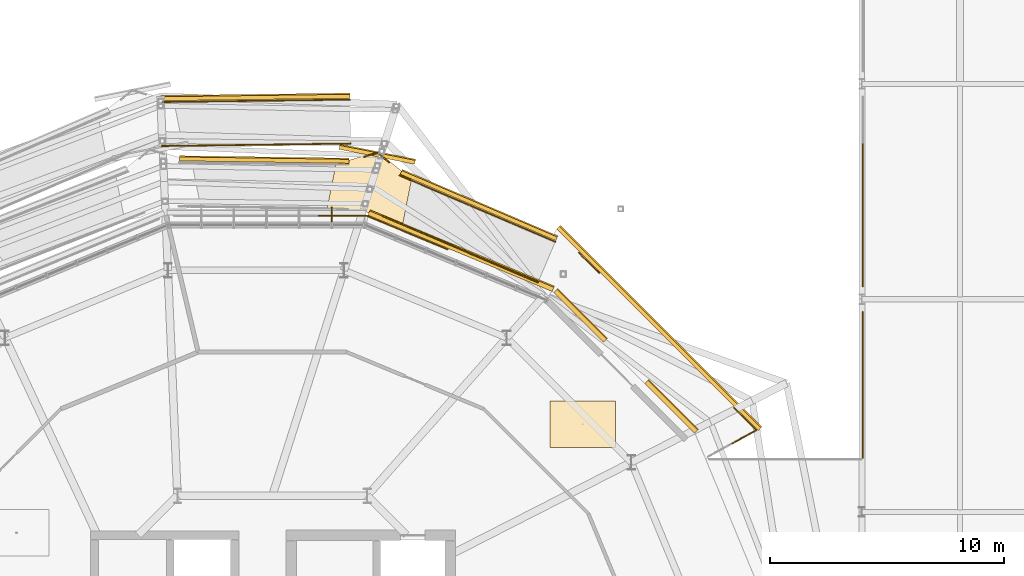
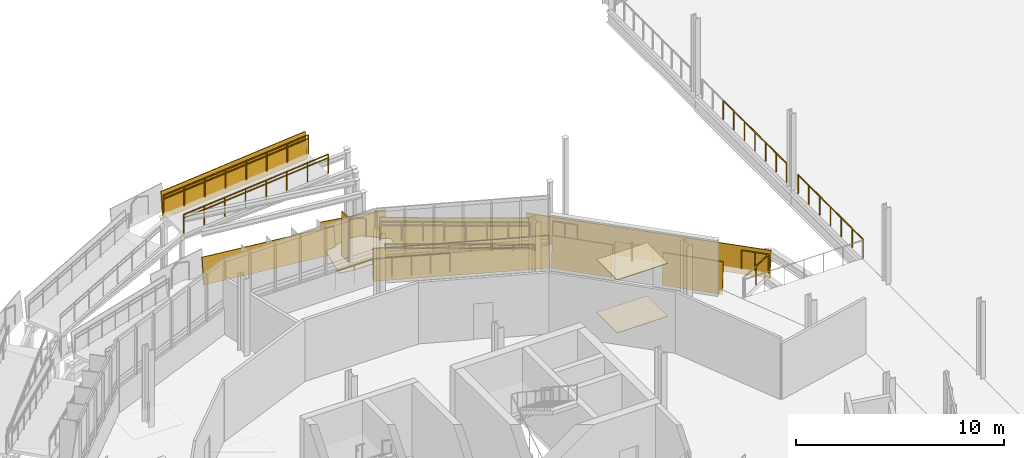
# One storey, part 134 of 139: 22 railings, 11 coverings, 1 shading device.
"""IFC4 building model written with IfcOpenShell, lengths in metres."""

from ifc_helpers import new_model, si_unit, derived_unit, direction, frame, origin, origin_2d, place, context, subcontext, project, spatial, polyline, rectangle, circle, outline, extrude, material, layer, layer_set, type_object, element, save


model = new_model("IFC4")

# Units and contexts
model_context = context("Model", 3, precision=1e-05, world=origin(), true_north=direction((0.0, 1.0)))
body_context = subcontext(model_context, "Body", "Model", "MODEL_VIEW")
ifc_project = project(units=[si_unit("LENGTHUNIT", "METRE"), si_unit("AREAUNIT", "SQUARE_METRE"), si_unit("VOLUMEUNIT", "CUBIC_METRE"), si_unit("PLANEANGLEUNIT", "RADIAN"), si_unit("MASSUNIT", "GRAM", prefix="KILO"), derived_unit("THERMALTRANSMITTANCEUNIT", [(si_unit("MASSUNIT", "GRAM", prefix="KILO"), 1), (si_unit("TIMEUNIT", "SECOND"), -3), (si_unit("THERMODYNAMICTEMPERATUREUNIT", "KELVIN"), -1)])], contexts=[model_context])

# Site, building, storey
site_placement = place(None, origin())
site = spatial("IfcSite", under=ifc_project, at=site_placement, CompositionType="ELEMENT")
building_placement = place(site_placement, origin())
building = spatial("IfcBuilding", under=site, at=building_placement, Name="Makaiwela Harbour Ferry Terminal", CompositionType="ELEMENT")
storey_placement = place(building_placement, frame((0.0, 0.0, 5.10009765625)))
storey = spatial("IfcBuildingStorey", under=building, at=storey_placement, Name="L01", CompositionType="ELEMENT", Elevation=5.10009765625)

# Coverings
ifc_material_1 = material(Name="White glazed marine ceramic rainscreen tile", Category="masonry")
ifc_layer_1 = layer(ifc_material_1, 0.054931640625)
ifc_layer_set_1 = layer_set([ifc_layer_1], Name="White glazed marine ceramic rainscreen tile")
covering_type_1 = type_object("IfcCoveringType", Name="ENV-CLD-CERAMIC", PredefinedType="CLADDING", material=ifc_layer_set_1)
for number, where, z_axis, x_axis, name in (
    (1, (55.84716796875, 80.064208984375, -0.260009765625), (-0.702883603683, -0.702883603683, 0.109129644681), (-0.707106781187, 0.707106781187, 0.0), "Ceramic Spandrel Facet CLD-0025"),
    (2, (51.956787109375, 83.95458984375, -0.260009765625), (-0.702883603683, -0.702883603683, 0.109129644681), (-0.707106781187, 0.707106781187, 0.0), "Ceramic Spandrel Facet CLD-0026"),
):
    element("IfcCovering", number, at=place(storey_placement, frame(where, z_axis=z_axis, x_axis=x_axis)), inside=storey, type_object=covering_type_1, Name=name, PredefinedType="CLADDING", context=body_context, shape_type="SweptSolid", body=[
        extrude(outline(polyline([(0.0, 0.0), (3.0017511502128147, 0.0), (3.0017511502128147, -1.7907243531310555), (0.0, -1.7907243531310555), (0.0, 0.0)])), origin(), (0.0, 0.0, -1.0), 0.054931640625),
    ])
covering_1_placement = place(storey_placement, frame((49.7626953125, 86.12744140625, -0.260009765625), z_axis=(-0.380390099808, -0.918374451296, 0.109049251138), x_axis=(-0.923884175154, 0.382672223843, 0.0)))
element("IfcCovering", 3, at=covering_1_placement, inside=storey, type_object=covering_type_1, Name="Ceramic Spandrel Facet CLD-0027", PredefinedType="CLADDING", context=body_context, shape_type="SweptSolid", body=[
    extrude(outline(polyline([(0.0, 0.0), (8.523531489286729, 5.551115123125783e-17), (8.523552538071614, -1.7907084592467375), (2.1048784884458716e-05, -1.7907084592467377), (0.0, 0.0)])), origin(), (0.0, 0.0, -1.0), 0.054931640625),
])
covering_2_placement = place(storey_placement, frame((58.5693359375, 80.185302734375, -0.340087890625), z_axis=(-0.702810363797, -0.702820323414, 0.110005388669), x_axis=(-0.707111852013, 0.707101710324, -7.74703e-07)))
element("IfcCovering", 4, at=covering_2_placement, inside=storey, type_object=covering_type_1, Name="Coiled Ramp Ceramic Fascia CLD-R0001", PredefinedType="CLADDING", context=body_context, shape_type="SweptSolid", body=[
    extrude(outline(polyline([(0.0, 0.0), (12.182227595645484, 1.1102230246251565e-16), (12.182052577540526, -1.5293103674244617), (-2.383375461762646e-06, -1.529291377079248), (0.0, 0.0)])), origin(), (0.0, 0.0, -1.0), 0.054931640625),
])
covering_3_placement = place(storey_placement, frame((49.918212890625, 88.302001953125, -0.340087890625), z_axis=(-0.381406200669, -0.917849108949, 0.109919621964), x_axis=(-0.916007568788, 0.391252580724, 0.088608983747)))
element("IfcCovering", 5, at=covering_3_placement, inside=storey, type_object=covering_type_1, Name="Coiled Ramp Ceramic Fascia CLD-R0024", PredefinedType="CLADDING", context=body_context, shape_type="SweptSolid", body=[
    extrude(outline(polyline([(0.0, 0.0), (7.2545947198565, 0.0), (7.389141684033133, -1.5233570953783877), (0.13454696417663245, -1.5233570953783877), (0.0, 0.0)])), origin(), (0.0, 0.0, -1.0), 0.054931640625),
])
covering_4_placement = place(storey_placement, frame((43.8828125, 91.566650390625, 0.302734375), z_axis=(-0.193917421015, -0.974845010118, 0.109878296652), x_axis=(-0.980783590049, 0.195098819805, 7.88241e-07)))
element("IfcCovering", 6, at=covering_4_placement, inside=storey, type_object=covering_type_1, Name="Coiled Ramp Ceramic Fascia CLD-R0025", PredefinedType="CLADDING", context=body_context, shape_type="SweptSolid", body=[
    extrude(outline(polyline([(0.0, 0.0), (3.299741908574184, 0.0), (3.2998082195819465, -1.5292766256310046), (-0.0001731381109020587, -1.529281859491945), (0.0, 0.0)])), origin(), (0.0, 0.0, -1.0), 0.054931640625),
])
covering_5_placement = place(storey_placement, frame((41.072021484375, 91.607421875, 0.302734375), z_axis=(-0.004497548954, -0.993930191057, 0.109920641187), x_axis=(-0.995987236211, 0.014277561277, 0.088349174008)))
element("IfcCovering", 7, at=covering_5_placement, inside=storey, type_object=covering_type_1, Name="Coiled Ramp Ceramic Fascia CLD-R0026", PredefinedType="CLADDING", context=body_context, shape_type="SweptSolid", body=[
    extrude(outline(polyline([(0.0, 0.0), (7.275777461897826, 1.1102230246251565e-16), (7.4100399923494535, -1.5233957038846722), (0.13425904471889277, -1.523369072487972), (0.0, 0.0)])), origin(), (0.0, 0.0, -1.0), 0.054931640625),
])
covering_6_placement = place(storey_placement, frame((33.04345703125, 94.28271484375, 3.51708984375), z_axis=(0.004328123303, -0.993939757638, 0.109840910113), x_axis=(0.996760687821, 0.013109324239, 0.079349082117)))
element("IfcCovering", 8, at=covering_6_placement, inside=storey, type_object=covering_type_1, Name="Coiled Ramp Ceramic Fascia CLD-R0036", PredefinedType="CLADDING", context=body_context, shape_type="SweptSolid", body=[
    extrude(outline(polyline([(0.0, 0.0), (8.101193466536664, 0.0), (8.221817429951896, 1.5245089582499212), (0.12062396341523265, 1.5245089582499212), (0.0, 0.0)])), origin(), (0.0, 0.0, -1.0), 0.054931640625),
])

# Shading device
ifc_material_2 = material(Name="Marine anodised aluminium 6063-T6", Category="aluminium")
ifc_layer_2 = layer(ifc_material_2, 0.054931640625)
ifc_layer_set_2 = layer_set([ifc_layer_2], Name="Marine anodised aluminium 6063-T6")
shading_device_type = type_object("IfcShadingDeviceType", Name="ENV-FIN-650", PredefinedType="USERDEFINED", material=ifc_layer_set_2)
shading_device_placement = place(storey_placement, frame((40.33935546875, 89.403076171875, 1.614990234375), z_axis=(0.0, 0.0, 1.0), x_axis=(0.0, 1.0, 0.0)))
element("IfcShadingDevice", 9, at=shading_device_placement, inside=storey, type_object=shading_device_type, Name="Vertical Solar Fin SFN-0021", ObjectType="SOLAR FIN", PredefinedType="USERDEFINED", context=body_context, shape_type="SweptSolid", body=[
    extrude(rectangle(XDim=0.64990234375, YDim=0.054931640625, at=origin_2d()), origin(), (0.0, 0.0, 1.0), 2.60009765625),
])

# Coverings
ifc_material_3 = material(Name="Thermally modified Accoya timber acoustic slat ceiling", Category="wood")
ifc_layer_3 = layer(ifc_material_3, 0.0400390625)
ifc_layer_set_3 = layer_set([ifc_layer_3], Name="Thermally modified Accoya timber acoustic slat ceiling")
covering_type_2 = type_object("IfcCoveringType", Name="INT-COV-CEIL", PredefinedType="CEILING", material=ifc_layer_set_3)
covering_7_placement = place(storey_placement, frame((0.0, 0.0, 3.099853515625)))
element("IfcCovering", 10, at=covering_7_placement, inside=storey, type_object=covering_type_2, Name="Acoustic Timber Ceiling CLG-030", PredefinedType="CEILING", context=body_context, shape_type="SweptSolid", body=[
    extrude(outline(polyline([(49.673583984375, 79.450927734375), (52.4736328125, 79.450927734375), (52.4736328125, 81.450927734375), (49.673583984375, 81.450927734375), (49.673583984375, 79.450927734375)])), origin(), (0.0, 0.0, 1.0), 0.0400390625),
])
ifc_material_4 = material(Name="Honed coral-aggregate epoxy terrazzo flooring", Category="concrete")
ifc_layer_4 = layer(ifc_material_4, 0.02490234375)
ifc_layer_set_4 = layer_set([ifc_layer_4], Name="Honed coral-aggregate epoxy terrazzo flooring")
covering_type_3 = type_object("IfcCoveringType", Name="INT-COV-FLR", PredefinedType="FLOORING", material=ifc_layer_set_4)
covering_8_placement = place(storey_placement, frame((0.0, 0.0, 0.642822265625)))
element("IfcCovering", 11, at=covering_8_placement, inside=storey, type_object=covering_type_3, Name="Ramp Landing Terrazzo RMP-COIL-L01-LI1", PredefinedType="FLOORING", context=body_context, shape_type="SweptSolid", body=[
    extrude(outline(polyline([(40.8134765625, 89.53955078125), (41.797119140625, 89.53955078125), (41.797119140625, 89.53955078125), (41.79736328125, 89.53955078125), (41.797607421875, 89.539306640625), (41.7978515625, 89.539306640625), (42.70654296875, 89.162841796875), (43.37841796875, 89.029296875), (43.756591796875, 90.931884765625), (42.30810546875, 92.107177734375), (40.52001953125, 91.57568359375), (40.1416015625, 89.673095703125), (40.8134765625, 89.53955078125)])), origin(), (0.0, 0.0, 1.0), 0.02490234375),
])
covering_9_placement = place(storey_placement, origin())
element("IfcCovering", 12, at=covering_9_placement, inside=storey, type_object=covering_type_3, Name="Terrazzo Flooring FLG-030", PredefinedType="FLOORING", context=body_context, shape_type="SweptSolid", body=[
    extrude(outline(polyline([(49.673583984375, 79.450927734375), (52.4736328125, 79.450927734375), (52.4736328125, 81.450927734375), (49.673583984375, 81.450927734375), (49.673583984375, 79.450927734375)])), origin(), (0.0, 0.0, 1.0), 0.02490234375),
])

# Railings
ifc_material_5 = material(Name="Marine grade 316L brushed stainless steel", Category="steel")
railing_type_1 = type_object("IfcRailingType", Name="INT-RL-GRD110", PredefinedType="GUARDRAIL", material=ifc_material_5)
railing_1_placement = place(storey_placement, frame((49.157470703125, 86.520751953125, 0.0)))
element("IfcRailing", 13, at=railing_1_placement, inside=storey, type_object=railing_type_1, Name="Ramp guardrail RL-0137", PredefinedType="GUARDRAIL", context=body_context, shape_type="SweptSolid", body=[
    extrude(circle(Radius=0.02392578125, at=origin_2d()), frame((0.0, 0.0, 1.09619140625), z_axis=(-0.916007568788, 0.391252580724, 0.088608983747), x_axis=(-0.392797655116, -0.919624924703, 0.0)), (0.0, 0.0, 1.0), 7.254638671875),
    extrude(circle(Radius=0.02099609375, at=origin_2d()), origin(), (0.0, 0.0, 1.0), 1.072021484375),
    extrude(circle(Radius=0.02099609375, at=origin_2d()), frame((-0.94921875, 0.405517578125, 0.091796875)), (0.0, 0.0, 1.0), 1.072021484375),
    extrude(circle(Radius=0.02099609375, at=origin_2d()), frame((-1.898681640625, 0.81103515625, 0.18359375)), (0.0, 0.0, 1.0), 1.072021484375),
    extrude(circle(Radius=0.02099609375, at=origin_2d()), frame((-2.847900390625, 1.216552734375, 0.275390625)), (0.0, 0.0, 1.0), 1.072021484375),
    extrude(circle(Radius=0.02099609375, at=origin_2d()), frame((-3.79736328125, 1.621826171875, 0.367431640625)), (0.0, 0.0, 1.0), 1.072021484375),
    extrude(circle(Radius=0.02099609375, at=origin_2d()), frame((-4.74658203125, 2.02734375, 0.459228515625)), (0.0, 0.0, 1.0), 1.072021484375),
    extrude(circle(Radius=0.02099609375, at=origin_2d()), frame((-5.696044921875, 2.432861328125, 0.551025390625)), (0.0, 0.0, 1.0), 1.072021484375),
    extrude(circle(Radius=0.02099609375, at=origin_2d()), frame((-6.645263671875, 2.83837890625, 0.642822265625)), (0.0, 0.0, 1.0), 1.072021484375),
])
railing_2_placement = place(storey_placement, frame((49.89599609375, 88.24951171875, 0.0)))
element("IfcRailing", 14, at=railing_2_placement, inside=storey, type_object=railing_type_1, Name="Ramp guardrail RL-0139", PredefinedType="GUARDRAIL", context=body_context, shape_type="SweptSolid", body=[
    extrude(circle(Radius=0.02392578125, at=origin_2d()), frame((0.0, 0.0, 1.09619140625), z_axis=(-0.916012984358, 0.391240520064, 0.088606252308), x_axis=(-0.392785451011, -0.919630137324, 0.0)), (0.0, 0.0, 1.0), 7.2548828125),
    extrude(circle(Radius=0.02099609375, at=origin_2d()), origin(), (0.0, 0.0, 1.0), 1.072021484375),
    extrude(circle(Radius=0.02099609375, at=origin_2d()), frame((-0.949462890625, 0.405517578125, 0.091796875)), (0.0, 0.0, 1.0), 1.072021484375),
    extrude(circle(Radius=0.02099609375, at=origin_2d()), frame((-1.898681640625, 0.81103515625, 0.18359375)), (0.0, 0.0, 1.0), 1.072021484375),
    extrude(circle(Radius=0.02099609375, at=origin_2d()), frame((-2.84814453125, 1.216552734375, 0.275390625)), (0.0, 0.0, 1.0), 1.072021484375),
    extrude(circle(Radius=0.02099609375, at=origin_2d()), frame((-3.79736328125, 1.621826171875, 0.367431640625)), (0.0, 0.0, 1.0), 1.072021484375),
    extrude(circle(Radius=0.02099609375, at=origin_2d()), frame((-4.746826171875, 2.02734375, 0.459228515625)), (0.0, 0.0, 1.0), 1.072021484375),
    extrude(circle(Radius=0.02099609375, at=origin_2d()), frame((-5.696044921875, 2.432861328125, 0.551025390625)), (0.0, 0.0, 1.0), 1.072021484375),
    extrude(circle(Radius=0.02099609375, at=origin_2d()), frame((-6.6455078125, 2.83837890625, 0.642822265625)), (0.0, 0.0, 1.0), 1.072021484375),
])
railing_3_placement = place(storey_placement, frame((33.069091796875, 92.345703125, 3.85693359375)))
element("IfcRailing", 15, at=railing_3_placement, inside=storey, type_object=railing_type_1, Name="Ramp guardrail RL-0161", PredefinedType="GUARDRAIL", context=body_context, shape_type="SweptSolid", body=[
    extrude(circle(Radius=0.02392578125, at=origin_2d()), frame((0.0, 0.0, 1.09619140625), z_axis=(0.99675771449, 0.013139818695, 0.079381381749), x_axis=(-0.013181415037, 0.999913121375, 0.0)), (0.0, 0.0, 1.0), 8.10107421875),
    extrude(circle(Radius=0.02099609375, at=origin_2d()), origin(), (0.0, 0.0, 1.0), 1.072021484375),
    extrude(circle(Radius=0.02099609375, at=origin_2d()), frame((1.153564453125, 0.01513671875, 0.091796875)), (0.0, 0.0, 1.0), 1.072021484375),
    extrude(circle(Radius=0.02099609375, at=origin_2d()), frame((2.30712890625, 0.030517578125, 0.183837890625)), (0.0, 0.0, 1.0), 1.072021484375),
    extrude(circle(Radius=0.02099609375, at=origin_2d()), frame((3.460693359375, 0.045654296875, 0.275634765625)), (0.0, 0.0, 1.0), 1.072021484375),
    extrude(circle(Radius=0.02099609375, at=origin_2d()), frame((4.614013671875, 0.060791015625, 0.367431640625)), (0.0, 0.0, 1.0), 1.072021484375),
    extrude(circle(Radius=0.02099609375, at=origin_2d()), frame((5.767578125, 0.075927734375, 0.459228515625)), (0.0, 0.0, 1.0), 1.072021484375),
    extrude(circle(Radius=0.02099609375, at=origin_2d()), frame((6.921142578125, 0.09130859375, 0.55126953125)), (0.0, 0.0, 1.0), 1.072021484375),
    extrude(circle(Radius=0.02099609375, at=origin_2d()), frame((8.07470703125, 0.1064453125, 0.64306640625)), (0.0, 0.0, 1.0), 1.072021484375),
])
railing_4_placement = place(storey_placement, frame((33.044189453125, 94.2255859375, 3.85693359375)))
element("IfcRailing", 16, at=railing_4_placement, inside=storey, type_object=railing_type_1, Name="Ramp guardrail RL-0163", PredefinedType="GUARDRAIL", context=body_context, shape_type="SweptSolid", body=[
    extrude(circle(Radius=0.02392578125, at=origin_2d()), frame((0.0, 0.0, 1.09619140625), z_axis=(0.996758303829, 0.013109292885, 0.079379028641), x_axis=(-0.01315079012, 0.999913524621, 0.0)), (0.0, 0.0, 1.0), 8.101318359375),
    extrude(circle(Radius=0.02099609375, at=origin_2d()), origin(), (0.0, 0.0, 1.0), 1.072021484375),
    extrude(circle(Radius=0.02099609375, at=origin_2d()), frame((1.153564453125, 0.01513671875, 0.091796875)), (0.0, 0.0, 1.0), 1.072021484375),
    extrude(circle(Radius=0.02099609375, at=origin_2d()), frame((2.30712890625, 0.0302734375, 0.183837890625)), (0.0, 0.0, 1.0), 1.072021484375),
    extrude(circle(Radius=0.02099609375, at=origin_2d()), frame((3.460693359375, 0.04541015625, 0.275634765625)), (0.0, 0.0, 1.0), 1.072021484375),
    extrude(circle(Radius=0.02099609375, at=origin_2d()), frame((4.6142578125, 0.060791015625, 0.367431640625)), (0.0, 0.0, 1.0), 1.072021484375),
    extrude(circle(Radius=0.02099609375, at=origin_2d()), frame((5.767822265625, 0.075927734375, 0.459228515625)), (0.0, 0.0, 1.0), 1.072021484375),
    extrude(circle(Radius=0.02099609375, at=origin_2d()), frame((6.92138671875, 0.091064453125, 0.55126953125)), (0.0, 0.0, 1.0), 1.072021484375),
    extrude(circle(Radius=0.02099609375, at=origin_2d()), frame((8.074951171875, 0.106201171875, 0.64306640625)), (0.0, 0.0, 1.0), 1.072021484375),
])
railing_5_placement = place(storey_placement, frame((39.78125, 89.361328125, 0.0)))
element("IfcRailing", 17, at=railing_5_placement, inside=storey, type_object=railing_type_1, Name="Deck edge guardrail RL-0283", PredefinedType="GUARDRAIL", context=body_context, shape_type="SweptSolid", body=[
    extrude(circle(Radius=0.02392578125, at=origin_2d()), frame((0.0, 0.0, 1.09619140625), z_axis=(1.0, 0.0, 0.0), x_axis=(0.0, 1.0, 0.0)), (0.0, 0.0, 1.0), 2.0615234375),
    extrude(circle(Radius=0.02099609375, at=origin_2d()), origin(), (0.0, 0.0, 1.0), 1.072021484375),
    extrude(circle(Radius=0.02099609375, at=origin_2d()), frame((1.03076171875, 0.0, 0.0)), (0.0, 0.0, 1.0), 1.072021484375),
    extrude(circle(Radius=0.02099609375, at=origin_2d()), frame((2.0615234375, 0.0, 0.0)), (0.0, 0.0, 1.0), 1.072021484375),
])
railing_6_placement = place(storey_placement, frame((41.8427734375, 89.361328125, 0.0)))
element("IfcRailing", 18, at=railing_6_placement, inside=storey, type_object=railing_type_1, Name="Deck edge guardrail RL-0284", PredefinedType="GUARDRAIL", context=body_context, shape_type="SweptSolid", body=[
    extrude(circle(Radius=0.02392578125, at=origin_2d()), frame((0.0, 0.0, 1.09619140625), z_axis=(0.923887681162, -0.38266375919, 0.0), x_axis=(0.38266375919, 0.923887681162, 0.0)), (0.0, 0.0, 1.0), 1.8662109375),
    extrude(circle(Radius=0.02099609375, at=origin_2d()), origin(), (0.0, 0.0, 1.0), 1.072021484375),
    extrude(circle(Radius=0.02099609375, at=origin_2d()), frame((0.862060546875, -0.35693359375, 0.0)), (0.0, 0.0, 1.0), 1.072021484375),
    extrude(circle(Radius=0.02099609375, at=origin_2d()), frame((1.72412109375, -0.714111328125, 0.0)), (0.0, 0.0, 1.0), 1.072021484375),
])
railing_7_placement = place(storey_placement, frame((43.56689453125, 88.647216796875, 0.0)))
element("IfcRailing", 19, at=railing_7_placement, inside=storey, type_object=railing_type_1, Name="Deck edge guardrail RL-0285", PredefinedType="GUARDRAIL", context=body_context, shape_type="SweptSolid", body=[
    extrude(circle(Radius=0.02392578125, at=origin_2d()), frame((0.0, 0.0, 1.09619140625), z_axis=(0.923860588688, -0.382729163599, 0.0), x_axis=(0.382729163599, 0.923860588688, 0.0)), (0.0, 0.0, 1.0), 1.866455078125),
    extrude(circle(Radius=0.02099609375, at=origin_2d()), origin(), (0.0, 0.0, 1.0), 1.072021484375),
    extrude(circle(Radius=0.02099609375, at=origin_2d()), frame((0.8623046875, -0.357177734375, 0.0)), (0.0, 0.0, 1.0), 1.072021484375),
    extrude(circle(Radius=0.02099609375, at=origin_2d()), frame((1.724365234375, -0.71435546875, 0.0)), (0.0, 0.0, 1.0), 1.072021484375),
])
railing_8_placement = place(storey_placement, frame((50.908935546875, 87.786376953125, 0.0)))
element("IfcRailing", 20, at=railing_8_placement, inside=storey, type_object=railing_type_1, Name="Deck edge guardrail RL-0286", PredefinedType="GUARDRAIL", context=body_context, shape_type="SweptSolid", body=[
    extrude(circle(Radius=0.02392578125, at=origin_2d()), frame((0.0, 0.0, 1.09619140625), z_axis=(0.707006688219, -0.707206859988, 0.0), x_axis=(0.707206859988, 0.707006688219, 0.0)), (0.0, 0.0, 1.0), 1.2197265625),
    extrude(circle(Radius=0.02099609375, at=origin_2d()), origin(), (0.0, 0.0, 1.0), 1.072021484375),
    extrude(circle(Radius=0.02099609375, at=origin_2d()), frame((0.43115234375, -0.43115234375, 0.0)), (0.0, 0.0, 1.0), 1.072021484375),
    extrude(circle(Radius=0.02099609375, at=origin_2d()), frame((0.8623046875, -0.862548828125, 0.0)), (0.0, 0.0, 1.0), 1.072021484375),
])
railing_9_placement = place(storey_placement, frame((57.538818359375, 81.156494140625, 0.0)))
element("IfcRailing", 21, at=railing_9_placement, inside=storey, type_object=railing_type_1, Name="Deck edge guardrail RL-0287", PredefinedType="GUARDRAIL", context=body_context, shape_type="SweptSolid", body=[
    extrude(circle(Radius=0.02392578125, at=origin_2d()), frame((0.0, 0.0, 1.09619140625), z_axis=(0.707106781187, -0.707106781187, 0.0), x_axis=(0.707106781187, 0.707106781187, 0.0)), (0.0, 0.0, 1.0), 1.35546875),
    extrude(circle(Radius=0.02099609375, at=origin_2d()), origin(), (0.0, 0.0, 1.0), 1.072021484375),
    extrude(circle(Radius=0.02099609375, at=origin_2d()), frame((0.479248046875, -0.479248046875, 0.0)), (0.0, 0.0, 1.0), 1.072021484375),
    extrude(circle(Radius=0.02099609375, at=origin_2d()), frame((0.95849609375, -0.95849609375, 0.0)), (0.0, 0.0, 1.0), 1.072021484375),
])
railing_10_placement = place(storey_placement, frame((58.497314453125, 80.197998046875, 0.0)))
element("IfcRailing", 22, at=railing_10_placement, inside=storey, type_object=railing_type_1, Name="Deck edge guardrail RL-0288", PredefinedType="GUARDRAIL", context=body_context, shape_type="SweptSolid", body=[
    extrude(circle(Radius=0.02392578125, at=origin_2d()), frame((0.0, 0.0, 1.09619140625), z_axis=(-0.877704239381, -0.479202742242, 0.0), x_axis=(0.479202742242, -0.877704239381, 0.0)), (0.0, 0.0, 1.0), 1.170654296875),
    extrude(circle(Radius=0.02099609375, at=origin_2d()), origin(), (0.0, 0.0, 1.0), 1.072021484375),
    extrude(circle(Radius=0.02099609375, at=origin_2d()), frame((-1.027587890625, -0.56103515625, 0.0)), (0.0, 0.0, 1.0), 1.072021484375),
])
for number, where, name in (
    (23, (63.047119140625, 79.02001953125, 0.0), "Deck edge guardrail RL-0293"),
    (24, (63.046875, 81.097412109375, 0.0), "Deck edge guardrail RL-0294"),
    (25, (63.046630859375, 83.1748046875, 0.0), "Deck edge guardrail RL-0295"),
):
    element("IfcRailing", number, at=place(storey_placement, frame(where)), inside=storey, type_object=railing_type_1, Name=name, PredefinedType="GUARDRAIL", context=body_context, shape_type="SweptSolid", body=[
        extrude(circle(Radius=0.02392578125, at=origin_2d()), frame((0.0, 0.0, 1.09619140625), z_axis=(-0.000117522622, 0.999999993094, 0.0), x_axis=(-0.999999993094, -0.000117522622, 0.0)), (0.0, 0.0, 1.0), 2.077392578125),
        extrude(circle(Radius=0.02099609375, at=origin_2d()), origin(), (0.0, 0.0, 1.0), 1.072021484375),
        extrude(circle(Radius=0.02099609375, at=origin_2d()), frame((0.0, 1.03857421875, 0.0)), (0.0, 0.0, 1.0), 1.072021484375),
        extrude(circle(Radius=0.02099609375, at=origin_2d()), frame((-0.000244140625, 2.077392578125, 0.0)), (0.0, 0.0, 1.0), 1.072021484375),
    ])
railing_11_placement = place(storey_placement, frame((63.04638671875, 86.34765625, 0.0)))
element("IfcRailing", 26, at=railing_11_placement, inside=storey, type_object=railing_type_1, Name="Deck edge guardrail RL-0296", PredefinedType="GUARDRAIL", context=body_context, shape_type="SweptSolid", body=[
    extrude(circle(Radius=0.02392578125, at=origin_2d()), frame((0.0, 0.0, 1.09619140625), z_axis=(-0.000120496444, 0.99999999274, 0.0), x_axis=(-0.99999999274, -0.000120496444, 0.0)), (0.0, 0.0, 1.0), 2.026123046875),
    extrude(circle(Radius=0.02099609375, at=origin_2d()), origin(), (0.0, 0.0, 1.0), 1.072021484375),
    extrude(circle(Radius=0.02099609375, at=origin_2d()), frame((0.0, 1.01318359375, 0.0)), (0.0, 0.0, 1.0), 1.072021484375),
    extrude(circle(Radius=0.02099609375, at=origin_2d()), frame((-0.000244140625, 2.026123046875, 0.0)), (0.0, 0.0, 1.0), 1.072021484375),
])
railing_12_placement = place(storey_placement, frame((63.046142578125, 88.373779296875, 0.0)))
element("IfcRailing", 27, at=railing_12_placement, inside=storey, type_object=railing_type_1, Name="Deck edge guardrail RL-0297", PredefinedType="GUARDRAIL", context=body_context, shape_type="SweptSolid", body=[
    extrude(circle(Radius=0.02392578125, at=origin_2d()), frame((0.0, 0.0, 1.09619140625), z_axis=(0.0, 1.0, 0.0), x_axis=(-1.0, 0.0, 0.0)), (0.0, 0.0, 1.0), 2.026123046875),
    extrude(circle(Radius=0.02099609375, at=origin_2d()), origin(), (0.0, 0.0, 1.0), 1.072021484375),
    extrude(circle(Radius=0.02099609375, at=origin_2d()), frame((0.0, 1.01318359375, 0.0)), (0.0, 0.0, 1.0), 1.072021484375),
    extrude(circle(Radius=0.02099609375, at=origin_2d()), frame((0.0, 2.026123046875, 0.0)), (0.0, 0.0, 1.0), 1.072021484375),
])
railing_13_placement = place(storey_placement, frame((63.046142578125, 90.39990234375, 0.0)))
element("IfcRailing", 28, at=railing_13_placement, inside=storey, type_object=railing_type_1, Name="Deck edge guardrail RL-0298", PredefinedType="GUARDRAIL", context=body_context, shape_type="SweptSolid", body=[
    extrude(circle(Radius=0.02392578125, at=origin_2d()), frame((0.0, 0.0, 1.09619140625), z_axis=(-0.000120496444, 0.99999999274, 0.0), x_axis=(-0.99999999274, -0.000120496444, 0.0)), (0.0, 0.0, 1.0), 2.026123046875),
    extrude(circle(Radius=0.02099609375, at=origin_2d()), origin(), (0.0, 0.0, 1.0), 1.072021484375),
    extrude(circle(Radius=0.02099609375, at=origin_2d()), frame((0.0, 1.01318359375, 0.0)), (0.0, 0.0, 1.0), 1.072021484375),
    extrude(circle(Radius=0.02099609375, at=origin_2d()), frame((-0.000244140625, 2.026123046875, 0.0)), (0.0, 0.0, 1.0), 1.072021484375),
])
railing_14_placement = place(storey_placement, frame((41.7236328125, 91.886474609375, 0.642822265625)))
element("IfcRailing", 29, at=railing_14_placement, inside=storey, type_object=railing_type_1, Name="Deck edge guardrail RL-0425", PredefinedType="GUARDRAIL", context=body_context, shape_type="SweptSolid", body=[
    extrude(circle(Radius=0.02392578125, at=origin_2d()), frame((0.0, 0.0, 1.09619140625), z_axis=(0.958518317886, 0.28503093565, 0.0), x_axis=(-0.28503093565, 0.958518317886, 0.0)), (0.0, 0.0, 1.0), 0.599609375),
    extrude(circle(Radius=0.02099609375, at=origin_2d()), origin(), (0.0, 0.0, 1.0), 1.072021484375),
    extrude(circle(Radius=0.02099609375, at=origin_2d()), frame((0.57470703125, 0.1708984375, 0.0)), (0.0, 0.0, 1.0), 1.072021484375),
])
railing_15_placement = place(storey_placement, frame((42.29833984375, 92.057373046875, 0.642822265625)))
element("IfcRailing", 30, at=railing_15_placement, inside=storey, type_object=railing_type_1, Name="Deck edge guardrail RL-0426", PredefinedType="GUARDRAIL", context=body_context, shape_type="SweptSolid", body=[
    extrude(circle(Radius=0.02392578125, at=origin_2d()), frame((0.0, 0.0, 1.09619140625), z_axis=(0.776479998458, -0.630141898301, 0.0), x_axis=(0.630141898301, 0.776479998458, 0.0)), (0.0, 0.0, 1.0), 0.63232421875),
    extrude(circle(Radius=0.02099609375, at=origin_2d()), origin(), (0.0, 0.0, 1.0), 1.072021484375),
    extrude(circle(Radius=0.02099609375, at=origin_2d()), frame((0.490966796875, -0.3984375, 0.0)), (0.0, 0.0, 1.0), 1.072021484375),
])
railing_type_2 = type_object("IfcRailingType", Name="INT-RL-HND090", PredefinedType="HANDRAIL", material=ifc_material_5)
railing_16_placement = place(storey_placement, frame((49.157470703125, 86.520751953125, 0.0)))
element("IfcRailing", 31, at=railing_16_placement, inside=storey, type_object=railing_type_2, Name="Ramp handrail RL-0138", PredefinedType="HANDRAIL", context=body_context, shape_type="SweptSolid", body=[
    extrude(circle(Radius=0.02392578125, at=origin_2d()), frame((0.0, 0.0, 0.89111328125), z_axis=(-0.916007568788, 0.391252580724, 0.088608983747), x_axis=(-0.392797655116, -0.919624924703, 0.0)), (0.0, 0.0, 1.0), 7.254638671875),
    extrude(circle(Radius=0.02099609375, at=origin_2d()), origin(), (0.0, 0.0, 1.0), 0.866943359375),
    extrude(circle(Radius=0.02099609375, at=origin_2d()), frame((-0.94921875, 0.405517578125, 0.091796875)), (0.0, 0.0, 1.0), 0.866943359375),
    extrude(circle(Radius=0.02099609375, at=origin_2d()), frame((-1.898681640625, 0.81103515625, 0.18359375)), (0.0, 0.0, 1.0), 0.866943359375),
    extrude(circle(Radius=0.02099609375, at=origin_2d()), frame((-2.847900390625, 1.216552734375, 0.275390625)), (0.0, 0.0, 1.0), 0.866943359375),
    extrude(circle(Radius=0.02099609375, at=origin_2d()), frame((-3.79736328125, 1.621826171875, 0.367431640625)), (0.0, 0.0, 1.0), 0.866943359375),
    extrude(circle(Radius=0.02099609375, at=origin_2d()), frame((-4.74658203125, 2.02734375, 0.459228515625)), (0.0, 0.0, 1.0), 0.866943359375),
    extrude(circle(Radius=0.02099609375, at=origin_2d()), frame((-5.696044921875, 2.432861328125, 0.551025390625)), (0.0, 0.0, 1.0), 0.866943359375),
    extrude(circle(Radius=0.02099609375, at=origin_2d()), frame((-6.645263671875, 2.83837890625, 0.642822265625)), (0.0, 0.0, 1.0), 0.866943359375),
])
railing_17_placement = place(storey_placement, frame((49.89599609375, 88.24951171875, 0.0)))
element("IfcRailing", 32, at=railing_17_placement, inside=storey, type_object=railing_type_2, Name="Ramp handrail RL-0140", PredefinedType="HANDRAIL", context=body_context, shape_type="SweptSolid", body=[
    extrude(circle(Radius=0.02392578125, at=origin_2d()), frame((0.0, 0.0, 0.89111328125), z_axis=(-0.916012984358, 0.391240520064, 0.088606252308), x_axis=(-0.392785451011, -0.919630137324, 0.0)), (0.0, 0.0, 1.0), 7.2548828125),
    extrude(circle(Radius=0.02099609375, at=origin_2d()), origin(), (0.0, 0.0, 1.0), 0.866943359375),
    extrude(circle(Radius=0.02099609375, at=origin_2d()), frame((-0.949462890625, 0.405517578125, 0.091796875)), (0.0, 0.0, 1.0), 0.866943359375),
    extrude(circle(Radius=0.02099609375, at=origin_2d()), frame((-1.898681640625, 0.81103515625, 0.18359375)), (0.0, 0.0, 1.0), 0.866943359375),
    extrude(circle(Radius=0.02099609375, at=origin_2d()), frame((-2.84814453125, 1.216552734375, 0.275390625)), (0.0, 0.0, 1.0), 0.866943359375),
    extrude(circle(Radius=0.02099609375, at=origin_2d()), frame((-3.79736328125, 1.621826171875, 0.367431640625)), (0.0, 0.0, 1.0), 0.866943359375),
    extrude(circle(Radius=0.02099609375, at=origin_2d()), frame((-4.746826171875, 2.02734375, 0.459228515625)), (0.0, 0.0, 1.0), 0.866943359375),
    extrude(circle(Radius=0.02099609375, at=origin_2d()), frame((-5.696044921875, 2.432861328125, 0.551025390625)), (0.0, 0.0, 1.0), 0.866943359375),
    extrude(circle(Radius=0.02099609375, at=origin_2d()), frame((-6.6455078125, 2.83837890625, 0.642822265625)), (0.0, 0.0, 1.0), 0.866943359375),
])
railing_18_placement = place(storey_placement, frame((33.069091796875, 92.345703125, 3.85693359375)))
element("IfcRailing", 33, at=railing_18_placement, inside=storey, type_object=railing_type_2, Name="Ramp handrail RL-0162", PredefinedType="HANDRAIL", context=body_context, shape_type="SweptSolid", body=[
    extrude(circle(Radius=0.02392578125, at=origin_2d()), frame((0.0, 0.0, 0.89111328125), z_axis=(0.99675771449, 0.013139818695, 0.079381381749), x_axis=(-0.013181415037, 0.999913121375, 0.0)), (0.0, 0.0, 1.0), 8.10107421875),
    extrude(circle(Radius=0.02099609375, at=origin_2d()), origin(), (0.0, 0.0, 1.0), 0.866943359375),
    extrude(circle(Radius=0.02099609375, at=origin_2d()), frame((1.153564453125, 0.01513671875, 0.091796875)), (0.0, 0.0, 1.0), 0.866943359375),
    extrude(circle(Radius=0.02099609375, at=origin_2d()), frame((2.30712890625, 0.030517578125, 0.183837890625)), (0.0, 0.0, 1.0), 0.866943359375),
    extrude(circle(Radius=0.02099609375, at=origin_2d()), frame((3.460693359375, 0.045654296875, 0.275634765625)), (0.0, 0.0, 1.0), 0.866943359375),
    extrude(circle(Radius=0.02099609375, at=origin_2d()), frame((4.614013671875, 0.060791015625, 0.367431640625)), (0.0, 0.0, 1.0), 0.866943359375),
    extrude(circle(Radius=0.02099609375, at=origin_2d()), frame((5.767578125, 0.075927734375, 0.459228515625)), (0.0, 0.0, 1.0), 0.866943359375),
    extrude(circle(Radius=0.02099609375, at=origin_2d()), frame((6.921142578125, 0.09130859375, 0.55126953125)), (0.0, 0.0, 1.0), 0.866943359375),
    extrude(circle(Radius=0.02099609375, at=origin_2d()), frame((8.07470703125, 0.1064453125, 0.64306640625)), (0.0, 0.0, 1.0), 0.866943359375),
])
railing_19_placement = place(storey_placement, frame((33.044189453125, 94.2255859375, 3.85693359375)))
element("IfcRailing", 34, at=railing_19_placement, inside=storey, type_object=railing_type_2, Name="Ramp handrail RL-0164", PredefinedType="HANDRAIL", context=body_context, shape_type="SweptSolid", body=[
    extrude(circle(Radius=0.02392578125, at=origin_2d()), frame((0.0, 0.0, 0.89111328125), z_axis=(0.996758303829, 0.013109292885, 0.079379028641), x_axis=(-0.01315079012, 0.999913524621, 0.0)), (0.0, 0.0, 1.0), 8.101318359375),
    extrude(circle(Radius=0.02099609375, at=origin_2d()), origin(), (0.0, 0.0, 1.0), 0.866943359375),
    extrude(circle(Radius=0.02099609375, at=origin_2d()), frame((1.153564453125, 0.01513671875, 0.091796875)), (0.0, 0.0, 1.0), 0.866943359375),
    extrude(circle(Radius=0.02099609375, at=origin_2d()), frame((2.30712890625, 0.0302734375, 0.183837890625)), (0.0, 0.0, 1.0), 0.866943359375),
    extrude(circle(Radius=0.02099609375, at=origin_2d()), frame((3.460693359375, 0.04541015625, 0.275634765625)), (0.0, 0.0, 1.0), 0.866943359375),
    extrude(circle(Radius=0.02099609375, at=origin_2d()), frame((4.6142578125, 0.060791015625, 0.367431640625)), (0.0, 0.0, 1.0), 0.866943359375),
    extrude(circle(Radius=0.02099609375, at=origin_2d()), frame((5.767822265625, 0.075927734375, 0.459228515625)), (0.0, 0.0, 1.0), 0.866943359375),
    extrude(circle(Radius=0.02099609375, at=origin_2d()), frame((6.92138671875, 0.091064453125, 0.55126953125)), (0.0, 0.0, 1.0), 0.866943359375),
    extrude(circle(Radius=0.02099609375, at=origin_2d()), frame((8.074951171875, 0.106201171875, 0.64306640625)), (0.0, 0.0, 1.0), 0.866943359375),
])

save(model, "model.ifc")
